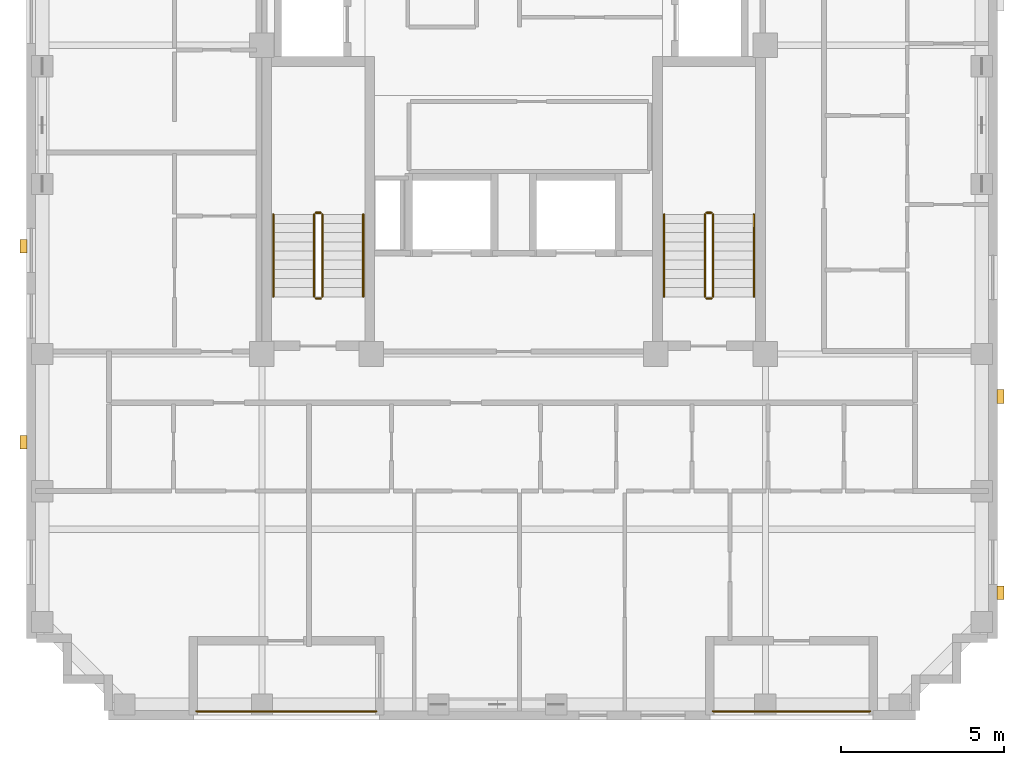
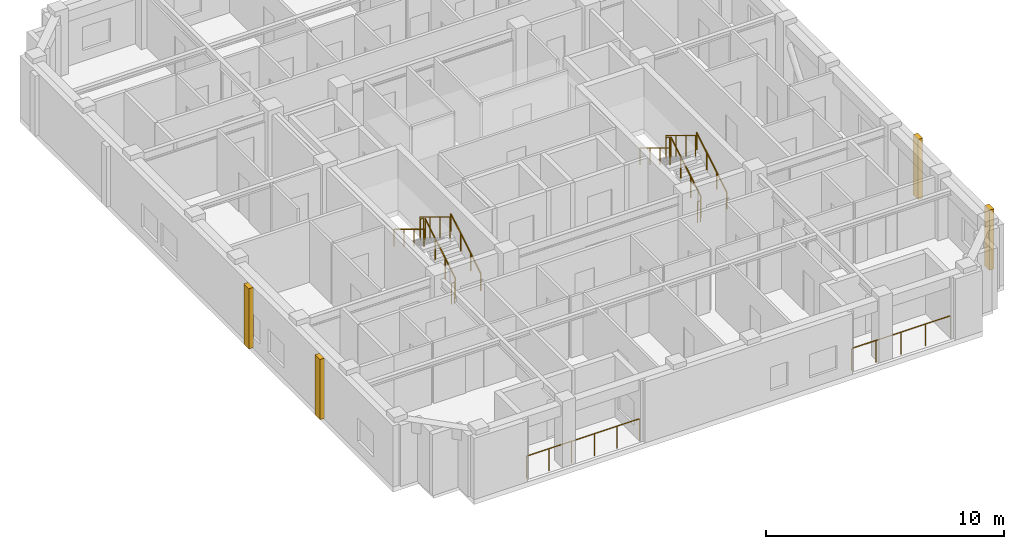
# One storey, part 10 of 11: 14 railings, 4 coverings.
"""IFC4 building model written with IfcOpenShell, lengths in metres."""

import ifcopenshell
import ifcopenshell.guid

model = None  # the IFC model being written
_history = None  # IfcOwnerHistory: only IFC2X3 demands one
_inside = {}  # id of a spatial element -> (the spatial element, [elements in it])
_under = {}  # id of a project, library or spatial element -> (it, [spatial elements below it])
_declared = {}  # id of a project -> (the project, [libraries it declares])
_typed = {}  # id of a type object -> (the type object, [elements of that type])
_made_of = {}  # id of a material, layer set ... -> (it, [elements and type objects made of it])


def new_model(schema):
    """Start an empty IFC model of exactly this schema.

    Asked for "IFC4X3", IfcOpenShell would pick the latest addendum, in which some entities
    have other attributes; the version numbers below select the first issue.
    IFC2X3 requires an IfcOwnerHistory on every rooted entity: one is made here for all.
    """
    global model, _history
    if schema == "IFC4X3":
        model = ifcopenshell.file(schema_version=(4, 3, 0, 0))
    else:
        model = ifcopenshell.file(schema=schema)
    _inside.clear()
    _under.clear()
    _declared.clear()
    _typed.clear()
    _made_of.clear()
    _history = None
    if model.schema == "IFC2X3":
        org = make("IfcOrganization", Name="unknown")
        user = make(
            "IfcPersonAndOrganization",
            ThePerson=make("IfcPerson", FamilyName="unknown"),
            TheOrganization=org,
        )
        app = make(
            "IfcApplication",
            ApplicationDeveloper=org,
            Version="unknown",
            ApplicationFullName="unknown",
            ApplicationIdentifier="unknown",
        )
        _history = make(
            "IfcOwnerHistory",
            OwningUser=user,
            OwningApplication=app,
            ChangeAction="ADDED",
            CreationDate=0,
        )
    return model


def make(cls, **values):
    """One entity of the class cls with the attributes given. An attribute that is None is left unset."""
    return model.create_entity(
        cls, **{name: value for name, value in values.items() if value is not None}
    )


def rooted(cls, **values):
    """An entity with a GlobalId (a new one), such as an element, a storey or a relation."""
    return make(cls, GlobalId=ifcopenshell.guid.new(), OwnerHistory=_history, **values)


def si_unit(unit_type, name, prefix=None):
    """IfcSIUnit, for example si_unit("LENGTHUNIT", "METRE", prefix="MILLI")."""
    return make("IfcSIUnit", UnitType=unit_type, Prefix=prefix, Name=name)


def derived_unit(unit_type, elements):
    """IfcDerivedUnit: a product of units, each with its exponent."""
    return make(
        "IfcDerivedUnit",
        Elements=[
            make("IfcDerivedUnitElement", Unit=unit, Exponent=power)
            for unit, power in elements
        ],
        UnitType=unit_type,
    )


def assignment(units):
    """IfcUnitAssignment: the units of a project."""
    return None if units is None else make("IfcUnitAssignment", Units=units)


def point(xyz):
    """IfcCartesianPoint."""
    return None if xyz is None else make("IfcCartesianPoint", Coordinates=xyz)


def direction(xyz):
    """IfcDirection."""
    return None if xyz is None else make("IfcDirection", DirectionRatios=xyz)


def frame(location, z_axis=None, x_axis=None):
    """IfcAxis2Placement3D, a coordinate frame: its origin and axes. An axis left out is left unset."""
    return make(
        "IfcAxis2Placement3D",
        Location=point(location),
        Axis=direction(z_axis),
        RefDirection=direction(x_axis),
    )


def frame_2d(location, x_axis=None):
    """IfcAxis2Placement2D, a coordinate frame in the plane: its origin and x axis."""
    return make(
        "IfcAxis2Placement2D", Location=point(location), RefDirection=direction(x_axis)
    )


def origin():
    """The frame at (0, 0, 0) with its axes left unset."""
    return frame((0.0, 0.0, 0.0))


def origin_2d():
    """The frame at (0, 0) in the plane with its x axis left unset."""
    return frame_2d((0.0, 0.0))


def place(relative_to, where):
    """IfcLocalPlacement: puts the frame where relative to a parent placement (None: the world)."""
    return make(
        "IfcLocalPlacement", PlacementRelTo=relative_to, RelativePlacement=where
    )


def context(
    kind, dimensions, precision=None, world=None, true_north=None, identifier=None
):
    """IfcGeometricRepresentationContext, for example the 3D "Model" context."""
    return make(
        "IfcGeometricRepresentationContext",
        ContextIdentifier=identifier,
        ContextType=kind,
        CoordinateSpaceDimension=dimensions,
        Precision=precision,
        WorldCoordinateSystem=world,
        TrueNorth=true_north,
    )


def subcontext(parent, identifier, kind, view, scale=None):
    """IfcGeometricRepresentationSubContext, for example "Body" below "Model"."""
    return make(
        "IfcGeometricRepresentationSubContext",
        ContextIdentifier=identifier,
        ContextType=kind,
        ParentContext=parent,
        TargetScale=scale,
        TargetView=view,
    )


def project(units=None, contexts=None):
    """IfcProject with its units and contexts."""
    return rooted(
        "IfcProject",
        Name="project",
        RepresentationContexts=contexts,
        UnitsInContext=assignment(units),
    )


def spatial(cls, under=None, at=None, **own):
    """A site, building, storey or space (cls), placed at a placement, below another one or the project."""
    s = rooted(cls, ObjectPlacement=at, **own)
    if under is not None:
        _under.setdefault(under.id(), (under, []))[1].append(s)
    return s


def profile(cls, at=None, kind="AREA", **sizes):
    """A parametric profile (cls). Its sizes go by their IFC names, for example OverallWidth=200.0."""
    return make(cls, ProfileType=kind, Position=at, **sizes)


def rectangle(**sizes):
    """IfcRectangleProfileDef."""
    return profile("IfcRectangleProfileDef", **sizes)


def circle(**sizes):
    """IfcCircleProfileDef."""
    return profile("IfcCircleProfileDef", **sizes)


def extrude(swept, where, along, depth):
    """IfcExtrudedAreaSolid: the profile swept, set in the frame where, extruded along a direction by depth."""
    return make(
        "IfcExtrudedAreaSolid",
        SweptArea=swept,
        Position=where,
        ExtrudedDirection=direction(along),
        Depth=depth,
    )


def shape(context_of_items, identifier, shape_type, items):
    """IfcShapeRepresentation: the items that make up one representation, for example the "Body"."""
    return make(
        "IfcShapeRepresentation",
        ContextOfItems=context_of_items,
        RepresentationIdentifier=identifier,
        RepresentationType=shape_type,
        Items=items,
    )


def material(Name=None, Category=None):
    """IfcMaterial."""
    return make("IfcMaterial", Name=Name, Category=Category)


def layer(
    of_material, thickness, ventilated=None, Name=None, Category=None, Priority=None
):
    """IfcMaterialLayer: one layer of a wall or slab, of a material (None: an air gap)."""
    return make(
        "IfcMaterialLayer",
        Material=of_material,
        LayerThickness=thickness,
        IsVentilated=ventilated,
        Name=Name,
        Category=Category,
        Priority=Priority,
    )


def layer_set(layers, Name=None):
    """IfcMaterialLayerSet."""
    return make("IfcMaterialLayerSet", MaterialLayers=layers, LayerSetName=Name)


def made_of(thing, what):
    """Note that an element or type object is made of a material, layer set ...; save() writes the relation."""
    if what is not None:
        _made_of.setdefault(what.id(), (what, []))[1].append(thing)
    return thing


def type_object(cls, material=None, **own):
    """A type object (cls), such as IfcWallType, which elements share."""
    return made_of(rooted(cls, **own), material)


def element(
    cls,
    number,
    at=None,
    inside=None,
    cuts=None,
    type_object=None,
    material=None,
    context=None,
    identifier="Body",
    shape_type=None,
    held_by="IfcProductDefinitionShape",
    body=None,
    shapes=None,
    **own,
):
    """One element of the class cls, such as IfcWall. Its Tag is "e" and its number.

    at: its placement. inside: the storey or other place that contains it. cuts: it is an
    opening in that element (IfcRelVoidsElement). A single representation is given by context,
    identifier, shape_type and body (its items); several are given by shapes. held_by: the class
    of the entity that holds the representations. save() writes the other relations.
    """
    e = rooted(cls, Tag="e%d" % number, ObjectPlacement=at, **own)
    if body is not None:
        shapes = [shape(context, identifier, shape_type, body)]
    if shapes is not None:
        e.Representation = make(held_by, Representations=shapes)
    if inside is not None:
        _inside.setdefault(inside.id(), (inside, []))[1].append(e)
    if cuts is not None:
        rooted(
            "IfcRelVoidsElement", RelatingBuildingElement=cuts, RelatedOpeningElement=e
        )
    if type_object is not None:
        _typed.setdefault(type_object.id(), (type_object, []))[1].append(e)
    return made_of(e, material)


def aggregate(whole, parts):
    """IfcRelAggregates: a whole, such as a stair, and the parts it consists of."""
    return rooted("IfcRelAggregates", RelatingObject=whole, RelatedObjects=parts)


def save(model, path):
    """Write the relations noted so far, then the file.

    IfcRelAggregates (storeys below a building ...), IfcRelContainedInSpatialStructure (elements
    in a storey), IfcRelDefinesByType, IfcRelAssociatesMaterial and IfcRelDeclares: one each for
    every whole, place, type object, material and project.
    """
    for whole, parts in _under.values():
        aggregate(whole, parts)
    for where, things in _inside.values():
        rooted(
            "IfcRelContainedInSpatialStructure",
            RelatedElements=things,
            RelatingStructure=where,
        )
    for kind, things in _typed.values():
        rooted("IfcRelDefinesByType", RelatedObjects=things, RelatingType=kind)
    for what, things in _made_of.values():
        rooted("IfcRelAssociatesMaterial", RelatedObjects=things, RelatingMaterial=what)
    for by, libraries in _declared.values():
        rooted("IfcRelDeclares", RelatingContext=by, RelatedDefinitions=libraries)
    model.write(path)


model = new_model("IFC4")

# Units and contexts
model_context = context("Model", 3, precision=1e-05, world=origin(), true_north=direction((0.0, 1.0)))
body_context = subcontext(model_context, "Body", "Model", "MODEL_VIEW")
ifc_project = project(units=[si_unit("LENGTHUNIT", "METRE"), si_unit("AREAUNIT", "SQUARE_METRE"), si_unit("VOLUMEUNIT", "CUBIC_METRE"), si_unit("PLANEANGLEUNIT", "RADIAN"), si_unit("MASSUNIT", "GRAM", prefix="KILO"), derived_unit("THERMALTRANSMITTANCEUNIT", [(si_unit("MASSUNIT", "GRAM", prefix="KILO"), 1), (si_unit("TIMEUNIT", "SECOND"), -3), (si_unit("THERMODYNAMICTEMPERATUREUNIT", "KELVIN"), -1)])], contexts=[model_context])

# Site, building, storey
site_placement = place(None, origin())
site = spatial("IfcSite", under=ifc_project, at=site_placement, CompositionType="ELEMENT")
building_placement = place(site_placement, origin())
building = spatial("IfcBuilding", under=site, at=building_placement, Name="Korrvale Station Residences", CompositionType="ELEMENT")
storey_placement = place(building_placement, frame((0.0, 0.0, 244.5)))
storey = spatial("IfcBuildingStorey", under=building, at=storey_placement, Name="L71", CompositionType="ELEMENT", Elevation=244.5)

# Coverings
ifc_material_1 = material(Name="Architectural precast concrete C45/55", Category="concrete")
ifc_layer = layer(ifc_material_1, 0.219970703125, Name="Architectural precast concrete C45/55")
ifc_layer_set = layer_set([ifc_layer], Name="Architectural precast concrete C45/55")
covering_type = type_object("IfcCoveringType", Name="COV-PIER-400", PredefinedType="CLADDING", material=ifc_layer_set)
for number, where, z_axis, x_axis, name in (
    (1, (10.510009765625, 12.300048828125, 0.02490234375), (0.0, 0.0, 1.0), (0.0, 1.0, 0.0), "L71 Architectural Precast Facade Pier 02"),
    (2, (10.510009765625, 18.300048828125, 0.02490234375), (0.0, 0.0, 1.0), (0.0, 1.0, 0.0), "L71 Architectural Precast Facade Pier 03"),
    (3, (40.389892578125, 13.699951171875, 0.02490234375), (0.0, 0.0, 1.0), (0.0, 1.0, 0.0), "L71 Architectural Precast Facade Pier 08"),
    (4, (40.389892578125, 7.699951171875, 0.02490234375), (0.0, 0.0, 1.0), (0.0, 1.0, 0.0), "L71 Architectural Precast Facade Pier 09"),
):
    element("IfcCovering", number, at=place(storey_placement, frame(where, z_axis=z_axis, x_axis=x_axis)), inside=storey, type_object=covering_type, Name=name, PredefinedType="CLADDING", context=body_context, shape_type="SweptSolid", body=[
        extrude(rectangle(XDim=0.419921875, YDim=0.219970703125, at=origin_2d()), origin(), (0.0, 0.0, 1.0), 3.090087890625),
    ])

# Railings
ifc_material_2 = material(Name="Powder-coated aluminium picket loggia guard", Category="aluminium")
railing_type_1 = type_object("IfcRailingType", Name="RLG-BAL-1150", PredefinedType="GUARDRAIL", material=ifc_material_2)
railing_1_placement = place(storey_placement, frame((31.60009765625, 4.070068359375, 0.0)))
element("IfcRailing", 5, at=railing_1_placement, inside=storey, type_object=railing_type_1, Name="L71 Recessed Loggia Guardrail BAL-L71-S2", PredefinedType="GUARDRAIL", context=body_context, shape_type="SweptSolid", body=[
    extrude(circle(Radius=0.02392578125, at=origin_2d()), frame((0.0, 0.0, 1.1259765625), z_axis=(1.0, 0.0, 0.0), x_axis=(0.0, 1.0, 0.0)), (0.0, 0.0, 1.0), 4.7998046875),
    extrude(circle(Radius=0.02099609375, at=origin_2d()), origin(), (0.0, 0.0, 1.0), 1.101806640625),
    extrude(circle(Radius=0.02099609375, at=origin_2d()), frame((1.199951171875, 0.0, 0.0)), (0.0, 0.0, 1.0), 1.101806640625),
    extrude(circle(Radius=0.02099609375, at=origin_2d()), frame((2.39990234375, 0.0, 0.0)), (0.0, 0.0, 1.0), 1.101806640625),
    extrude(circle(Radius=0.02099609375, at=origin_2d()), frame((3.599853515625, 0.0, 0.0)), (0.0, 0.0, 1.0), 1.101806640625),
    extrude(circle(Radius=0.02099609375, at=origin_2d()), frame((4.7998046875, 0.0, 0.0)), (0.0, 0.0, 1.0), 1.101806640625),
])
railing_2_placement = place(storey_placement, frame((15.800048828125, 4.070068359375, 0.0)))
element("IfcRailing", 6, at=railing_2_placement, inside=storey, type_object=railing_type_1, Name="L71 Recessed Loggia Guardrail BAL-L71-S1", PredefinedType="GUARDRAIL", context=body_context, shape_type="SweptSolid", body=[
    extrude(circle(Radius=0.02392578125, at=origin_2d()), frame((0.0, 0.0, 1.1259765625), z_axis=(1.0, 0.0, 0.0), x_axis=(0.0, 1.0, 0.0)), (0.0, 0.0, 1.0), 5.5),
    extrude(circle(Radius=0.02099609375, at=origin_2d()), origin(), (0.0, 0.0, 1.0), 1.101806640625),
    extrude(circle(Radius=0.02099609375, at=origin_2d()), frame((1.10009765625, 0.0, 0.0)), (0.0, 0.0, 1.0), 1.101806640625),
    extrude(circle(Radius=0.02099609375, at=origin_2d()), frame((2.199951171875, 0.0, 0.0)), (0.0, 0.0, 1.0), 1.101806640625),
    extrude(circle(Radius=0.02099609375, at=origin_2d()), frame((3.300048828125, 0.0, 0.0)), (0.0, 0.0, 1.0), 1.101806640625),
    extrude(circle(Radius=0.02099609375, at=origin_2d()), frame((4.39990234375, 0.0, 0.0)), (0.0, 0.0, 1.0), 1.101806640625),
    extrude(circle(Radius=0.02099609375, at=origin_2d()), frame((5.5, 0.0, 0.0)), (0.0, 0.0, 1.0), 1.101806640625),
])
ifc_material_3 = material(Name="Brushed stainless-steel continuous stair handrail", Category="steel")
railing_type_2 = type_object("IfcRailingType", Name="RLG-SHND-900", PredefinedType="HANDRAIL", material=ifc_material_3)
railing_3_placement = place(storey_placement, frame((20.89990234375, 16.75, 0.169921875)))
element("IfcRailing", 7, at=railing_3_placement, inside=storey, type_object=railing_type_2, Name="L71 ST-1 stair handrail 1", PredefinedType="HANDRAIL", context=body_context, shape_type="SweptSolid", body=[
    extrude(circle(Radius=0.02392578125, at=origin_2d()), frame((0.0, 0.0, 0.8759765625), z_axis=(0.0, 0.85478489116, 0.518982456201), x_axis=(-1.0, 0.0, 0.0)), (0.0, 0.0, 1.0), 2.9482421875),
    extrude(circle(Radius=0.02099609375, at=origin_2d()), origin(), (0.0, 0.0, 1.0), 0.851806640625),
    extrude(circle(Radius=0.02099609375, at=origin_2d()), frame((0.0, 0.840087890625, 0.510009765625)), (0.0, 0.0, 1.0), 0.851806640625),
    extrude(circle(Radius=0.02099609375, at=origin_2d()), frame((0.0, 1.679931640625, 1.02001953125)), (0.0, 0.0, 1.0), 0.851806640625),
    extrude(circle(Radius=0.02099609375, at=origin_2d()), frame((0.0, 2.52001953125, 1.530029296875)), (0.0, 0.0, 1.0), 0.851806640625),
])
railing_4_placement = place(storey_placement, frame((18.14990234375, 19.27001953125, 1.8701171875)))
element("IfcRailing", 8, at=railing_4_placement, inside=storey, type_object=railing_type_2, Name="L71 ST-1 stair handrail 2", PredefinedType="HANDRAIL", context=body_context, shape_type="SweptSolid", body=[
    extrude(circle(Radius=0.02392578125, at=origin_2d()), frame((0.0, 0.0, 0.8759765625), z_axis=(0.0, -0.854821627497, 0.518921945155), x_axis=(1.0, 0.0, 0.0)), (0.0, 0.0, 1.0), 2.947998046875),
    extrude(circle(Radius=0.02099609375, at=origin_2d()), origin(), (0.0, 0.0, 1.0), 0.851806640625),
    extrude(circle(Radius=0.02099609375, at=origin_2d()), frame((0.0, -0.840087890625, 0.510009765625)), (0.0, 0.0, 1.0), 0.851806640625),
    extrude(circle(Radius=0.02099609375, at=origin_2d()), frame((0.0, -1.679931640625, 1.019775390625)), (0.0, 0.0, 1.0), 0.851806640625),
    extrude(circle(Radius=0.02099609375, at=origin_2d()), frame((0.0, -2.52001953125, 1.52978515625)), (0.0, 0.0, 1.0), 0.851806640625),
])
railing_5_placement = place(storey_placement, frame((32.85009765625, 16.75, 0.169921875)))
element("IfcRailing", 9, at=railing_5_placement, inside=storey, type_object=railing_type_2, Name="L71 ST-2 stair handrail 1", PredefinedType="HANDRAIL", context=body_context, shape_type="SweptSolid", body=[
    extrude(circle(Radius=0.02392578125, at=origin_2d()), frame((0.0, 0.0, 0.8759765625), z_axis=(0.0, 0.85478489116, 0.518982456201), x_axis=(-1.0, 0.0, 0.0)), (0.0, 0.0, 1.0), 2.9482421875),
    extrude(circle(Radius=0.02099609375, at=origin_2d()), origin(), (0.0, 0.0, 1.0), 0.851806640625),
    extrude(circle(Radius=0.02099609375, at=origin_2d()), frame((0.0, 0.840087890625, 0.510009765625)), (0.0, 0.0, 1.0), 0.851806640625),
    extrude(circle(Radius=0.02099609375, at=origin_2d()), frame((0.0, 1.679931640625, 1.02001953125)), (0.0, 0.0, 1.0), 0.851806640625),
    extrude(circle(Radius=0.02099609375, at=origin_2d()), frame((0.0, 2.52001953125, 1.530029296875)), (0.0, 0.0, 1.0), 0.851806640625),
])
railing_6_placement = place(storey_placement, frame((30.10009765625, 19.27001953125, 1.8701171875)))
element("IfcRailing", 10, at=railing_6_placement, inside=storey, type_object=railing_type_2, Name="L71 ST-2 stair handrail 2", PredefinedType="HANDRAIL", context=body_context, shape_type="SweptSolid", body=[
    extrude(circle(Radius=0.02392578125, at=origin_2d()), frame((0.0, 0.0, 0.8759765625), z_axis=(0.0, -0.854821627497, 0.518921945155), x_axis=(1.0, 0.0, 0.0)), (0.0, 0.0, 1.0), 2.947998046875),
    extrude(circle(Radius=0.02099609375, at=origin_2d()), origin(), (0.0, 0.0, 1.0), 0.851806640625),
    extrude(circle(Radius=0.02099609375, at=origin_2d()), frame((0.0, -0.840087890625, 0.510009765625)), (0.0, 0.0, 1.0), 0.851806640625),
    extrude(circle(Radius=0.02099609375, at=origin_2d()), frame((0.0, -1.679931640625, 1.019775390625)), (0.0, 0.0, 1.0), 0.851806640625),
    extrude(circle(Radius=0.02099609375, at=origin_2d()), frame((0.0, -2.52001953125, 1.52978515625)), (0.0, 0.0, 1.0), 0.851806640625),
])
ifc_material_4 = material(Name="Galvanised painted tubular steel stair guard", Category="steel")
railing_type_3 = type_object("IfcRailingType", Name="RLG-STR-1100", PredefinedType="GUARDRAIL", material=ifc_material_4)
railing_7_placement = place(storey_placement, frame((19.64990234375, 16.75, 0.169921875)))
element("IfcRailing", 11, at=railing_7_placement, inside=storey, type_object=railing_type_3, Name="L71 ST-1 stair guard 1", PredefinedType="GUARDRAIL", context=body_context, shape_type="SweptSolid", body=[
    extrude(circle(Radius=0.02392578125, at=origin_2d()), frame((0.0, 0.0, 1.076171875), z_axis=(0.0, 0.85478489116, 0.518982456201), x_axis=(-1.0, 0.0, 0.0)), (0.0, 0.0, 1.0), 2.9482421875),
    extrude(circle(Radius=0.02099609375, at=origin_2d()), origin(), (0.0, 0.0, 1.0), 1.052001953125),
    extrude(circle(Radius=0.02099609375, at=origin_2d()), frame((0.0, 0.840087890625, 0.510009765625)), (0.0, 0.0, 1.0), 1.052001953125),
    extrude(circle(Radius=0.02099609375, at=origin_2d()), frame((0.0, 1.679931640625, 1.02001953125)), (0.0, 0.0, 1.0), 1.052001953125),
    extrude(circle(Radius=0.02099609375, at=origin_2d()), frame((0.0, 2.52001953125, 1.530029296875)), (0.0, 0.0, 1.0), 1.052001953125),
])
railing_8_placement = place(storey_placement, frame((19.60009765625, 19.320068359375, 1.699951171875)))
element("IfcRailing", 12, at=railing_8_placement, inside=storey, type_object=railing_type_3, Name="L71 ST-1 stair guard 2", PredefinedType="GUARDRAIL", context=body_context, shape_type="SweptSolid", body=[
    extrude(circle(Radius=0.02392578125, at=origin_2d()), frame((0.0, 0.0, 1.076171875), z_axis=(-1.0, 0.0, 0.0), x_axis=(0.0, -1.0, 0.0)), (0.0, 0.0, 1.0), 0.150146484375),
    extrude(circle(Radius=0.02099609375, at=origin_2d()), origin(), (0.0, 0.0, 1.0), 1.052001953125),
    extrude(circle(Radius=0.02099609375, at=origin_2d()), frame((-0.150146484375, 0.0, 0.0)), (0.0, 0.0, 1.0), 1.052001953125),
])
railing_9_placement = place(storey_placement, frame((19.39990234375, 19.27001953125, 1.8701171875)))
element("IfcRailing", 13, at=railing_9_placement, inside=storey, type_object=railing_type_3, Name="L71 ST-1 stair guard 3", PredefinedType="GUARDRAIL", context=body_context, shape_type="SweptSolid", body=[
    extrude(circle(Radius=0.02392578125, at=origin_2d()), frame((0.0, 0.0, 1.076171875), z_axis=(0.0, -0.854821627497, 0.518921945155), x_axis=(1.0, 0.0, 0.0)), (0.0, 0.0, 1.0), 2.947998046875),
    extrude(circle(Radius=0.02099609375, at=origin_2d()), origin(), (0.0, 0.0, 1.0), 1.052001953125),
    extrude(circle(Radius=0.02099609375, at=origin_2d()), frame((0.0, -0.840087890625, 0.510009765625)), (0.0, 0.0, 1.0), 1.052001953125),
    extrude(circle(Radius=0.02099609375, at=origin_2d()), frame((0.0, -1.679931640625, 1.019775390625)), (0.0, 0.0, 1.0), 1.052001953125),
    extrude(circle(Radius=0.02099609375, at=origin_2d()), frame((0.0, -2.52001953125, 1.52978515625)), (0.0, 0.0, 1.0), 1.052001953125),
])
railing_10_placement = place(storey_placement, frame((19.60009765625, 16.699951171875, 0.0)))
element("IfcRailing", 14, at=railing_10_placement, inside=storey, type_object=railing_type_3, Name="L71 ST-1 stair guard 4", PredefinedType="GUARDRAIL", context=body_context, shape_type="SweptSolid", body=[
    extrude(circle(Radius=0.02392578125, at=origin_2d()), frame((0.0, 0.0, 1.076171875), z_axis=(-1.0, 0.0, 0.0), x_axis=(0.0, -1.0, 0.0)), (0.0, 0.0, 1.0), 0.150146484375),
    extrude(circle(Radius=0.02099609375, at=origin_2d()), origin(), (0.0, 0.0, 1.0), 1.052001953125),
    extrude(circle(Radius=0.02099609375, at=origin_2d()), frame((-0.150146484375, 0.0, 0.0)), (0.0, 0.0, 1.0), 1.052001953125),
])
railing_11_placement = place(storey_placement, frame((31.60009765625, 16.75, 0.169921875)))
element("IfcRailing", 15, at=railing_11_placement, inside=storey, type_object=railing_type_3, Name="L71 ST-2 stair guard 1", PredefinedType="GUARDRAIL", context=body_context, shape_type="SweptSolid", body=[
    extrude(circle(Radius=0.02392578125, at=origin_2d()), frame((0.0, 0.0, 1.076171875), z_axis=(0.0, 0.85478489116, 0.518982456201), x_axis=(-1.0, 0.0, 0.0)), (0.0, 0.0, 1.0), 2.9482421875),
    extrude(circle(Radius=0.02099609375, at=origin_2d()), origin(), (0.0, 0.0, 1.0), 1.052001953125),
    extrude(circle(Radius=0.02099609375, at=origin_2d()), frame((0.0, 0.840087890625, 0.510009765625)), (0.0, 0.0, 1.0), 1.052001953125),
    extrude(circle(Radius=0.02099609375, at=origin_2d()), frame((0.0, 1.679931640625, 1.02001953125)), (0.0, 0.0, 1.0), 1.052001953125),
    extrude(circle(Radius=0.02099609375, at=origin_2d()), frame((0.0, 2.52001953125, 1.530029296875)), (0.0, 0.0, 1.0), 1.052001953125),
])
railing_12_placement = place(storey_placement, frame((31.550048828125, 19.320068359375, 1.699951171875)))
element("IfcRailing", 16, at=railing_12_placement, inside=storey, type_object=railing_type_3, Name="L71 ST-2 stair guard 2", PredefinedType="GUARDRAIL", context=body_context, shape_type="SweptSolid", body=[
    extrude(circle(Radius=0.02392578125, at=origin_2d()), frame((0.0, 0.0, 1.076171875), z_axis=(-1.0, 0.0, 0.0), x_axis=(0.0, -1.0, 0.0)), (0.0, 0.0, 1.0), 0.150146484375),
    extrude(circle(Radius=0.02099609375, at=origin_2d()), origin(), (0.0, 0.0, 1.0), 1.052001953125),
    extrude(circle(Radius=0.02099609375, at=origin_2d()), frame((-0.150146484375, 0.0, 0.0)), (0.0, 0.0, 1.0), 1.052001953125),
])
railing_13_placement = place(storey_placement, frame((31.35009765625, 19.27001953125, 1.8701171875)))
element("IfcRailing", 17, at=railing_13_placement, inside=storey, type_object=railing_type_3, Name="L71 ST-2 stair guard 3", PredefinedType="GUARDRAIL", context=body_context, shape_type="SweptSolid", body=[
    extrude(circle(Radius=0.02392578125, at=origin_2d()), frame((0.0, 0.0, 1.076171875), z_axis=(0.0, -0.854821627497, 0.518921945155), x_axis=(1.0, 0.0, 0.0)), (0.0, 0.0, 1.0), 2.947998046875),
    extrude(circle(Radius=0.02099609375, at=origin_2d()), origin(), (0.0, 0.0, 1.0), 1.052001953125),
    extrude(circle(Radius=0.02099609375, at=origin_2d()), frame((0.0, -0.840087890625, 0.510009765625)), (0.0, 0.0, 1.0), 1.052001953125),
    extrude(circle(Radius=0.02099609375, at=origin_2d()), frame((0.0, -1.679931640625, 1.019775390625)), (0.0, 0.0, 1.0), 1.052001953125),
    extrude(circle(Radius=0.02099609375, at=origin_2d()), frame((0.0, -2.52001953125, 1.52978515625)), (0.0, 0.0, 1.0), 1.052001953125),
])
railing_14_placement = place(storey_placement, frame((31.550048828125, 16.699951171875, 0.0)))
element("IfcRailing", 18, at=railing_14_placement, inside=storey, type_object=railing_type_3, Name="L71 ST-2 stair guard 4", PredefinedType="GUARDRAIL", context=body_context, shape_type="SweptSolid", body=[
    extrude(circle(Radius=0.02392578125, at=origin_2d()), frame((0.0, 0.0, 1.076171875), z_axis=(-1.0, 0.0, 0.0), x_axis=(0.0, -1.0, 0.0)), (0.0, 0.0, 1.0), 0.150146484375),
    extrude(circle(Radius=0.02099609375, at=origin_2d()), origin(), (0.0, 0.0, 1.0), 1.052001953125),
    extrude(circle(Radius=0.02099609375, at=origin_2d()), frame((-0.150146484375, 0.0, 0.0)), (0.0, 0.0, 1.0), 1.052001953125),
])

save(model, "model.ifc")
